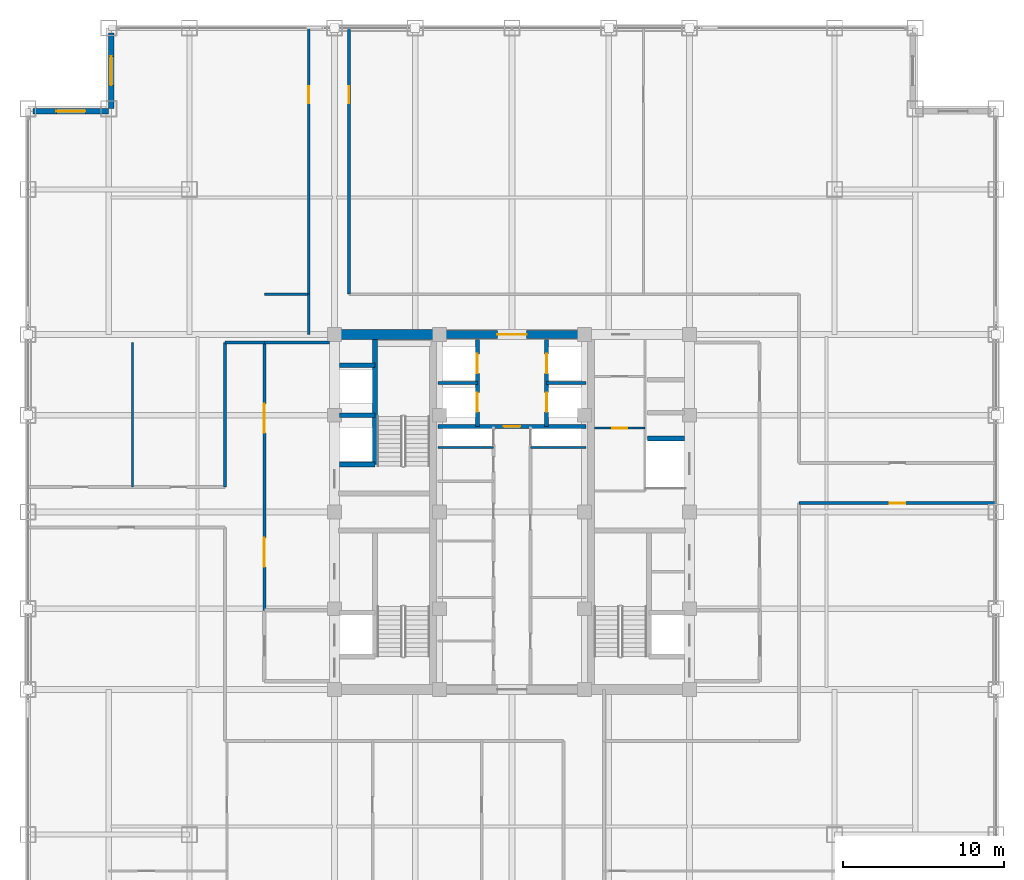
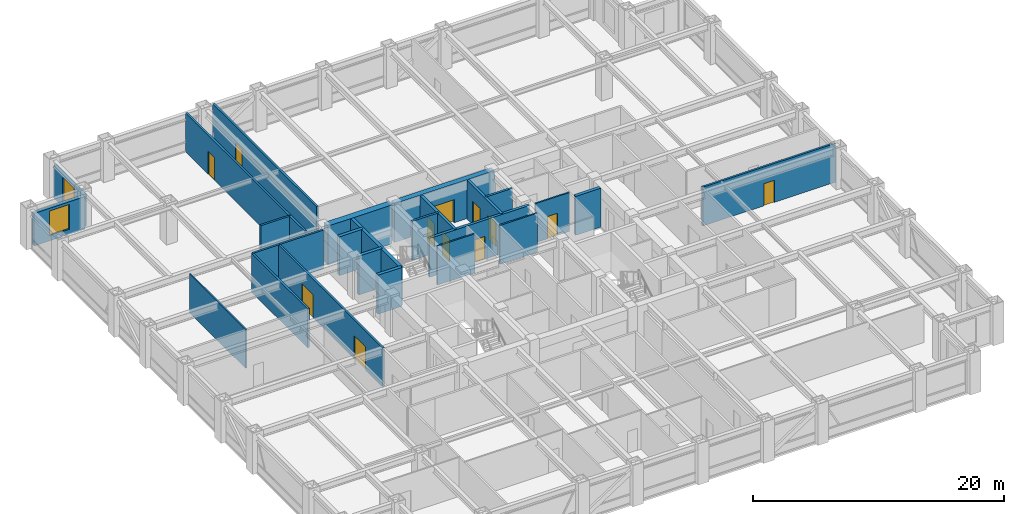
# One storey, part 22 of 24: 27 walls, 12 doors, 2 windows, 14 openings.
"""IFC4 building model written with IfcOpenShell, lengths in metres."""

import ifcopenshell
import ifcopenshell.guid

model = None  # the IFC model being written
_history = None  # IfcOwnerHistory: only IFC2X3 demands one
_inside = {}  # id of a spatial element -> (the spatial element, [elements in it])
_under = {}  # id of a project, library or spatial element -> (it, [spatial elements below it])
_declared = {}  # id of a project -> (the project, [libraries it declares])
_typed = {}  # id of a type object -> (the type object, [elements of that type])
_made_of = {}  # id of a material, layer set ... -> (it, [elements and type objects made of it])


def new_model(schema):
    """Start an empty IFC model of exactly this schema.

    Asked for "IFC4X3", IfcOpenShell would pick the latest addendum, in which some entities
    have other attributes; the version numbers below select the first issue.
    IFC2X3 requires an IfcOwnerHistory on every rooted entity: one is made here for all.
    """
    global model, _history
    if schema == "IFC4X3":
        model = ifcopenshell.file(schema_version=(4, 3, 0, 0))
    else:
        model = ifcopenshell.file(schema=schema)
    _inside.clear()
    _under.clear()
    _declared.clear()
    _typed.clear()
    _made_of.clear()
    _history = None
    if model.schema == "IFC2X3":
        org = make("IfcOrganization", Name="unknown")
        user = make(
            "IfcPersonAndOrganization",
            ThePerson=make("IfcPerson", FamilyName="unknown"),
            TheOrganization=org,
        )
        app = make(
            "IfcApplication",
            ApplicationDeveloper=org,
            Version="unknown",
            ApplicationFullName="unknown",
            ApplicationIdentifier="unknown",
        )
        _history = make(
            "IfcOwnerHistory",
            OwningUser=user,
            OwningApplication=app,
            ChangeAction="ADDED",
            CreationDate=0,
        )
    return model


def make(cls, **values):
    """One entity of the class cls with the attributes given. An attribute that is None is left unset."""
    return model.create_entity(
        cls, **{name: value for name, value in values.items() if value is not None}
    )


def rooted(cls, **values):
    """An entity with a GlobalId (a new one), such as an element, a storey or a relation."""
    return make(cls, GlobalId=ifcopenshell.guid.new(), OwnerHistory=_history, **values)


def si_unit(unit_type, name, prefix=None):
    """IfcSIUnit, for example si_unit("LENGTHUNIT", "METRE", prefix="MILLI")."""
    return make("IfcSIUnit", UnitType=unit_type, Prefix=prefix, Name=name)


def assignment(units):
    """IfcUnitAssignment: the units of a project."""
    return None if units is None else make("IfcUnitAssignment", Units=units)


def point(xyz):
    """IfcCartesianPoint."""
    return None if xyz is None else make("IfcCartesianPoint", Coordinates=xyz)


def direction(xyz):
    """IfcDirection."""
    return None if xyz is None else make("IfcDirection", DirectionRatios=xyz)


def frame(location, z_axis=None, x_axis=None):
    """IfcAxis2Placement3D, a coordinate frame: its origin and axes. An axis left out is left unset."""
    return make(
        "IfcAxis2Placement3D",
        Location=point(location),
        Axis=direction(z_axis),
        RefDirection=direction(x_axis),
    )


def frame_2d(location, x_axis=None):
    """IfcAxis2Placement2D, a coordinate frame in the plane: its origin and x axis."""
    return make(
        "IfcAxis2Placement2D", Location=point(location), RefDirection=direction(x_axis)
    )


def origin():
    """The frame at (0, 0, 0) with its axes left unset."""
    return frame((0.0, 0.0, 0.0))


def place(relative_to, where):
    """IfcLocalPlacement: puts the frame where relative to a parent placement (None: the world)."""
    return make(
        "IfcLocalPlacement", PlacementRelTo=relative_to, RelativePlacement=where
    )


def context(
    kind, dimensions, precision=None, world=None, true_north=None, identifier=None
):
    """IfcGeometricRepresentationContext, for example the 3D "Model" context."""
    return make(
        "IfcGeometricRepresentationContext",
        ContextIdentifier=identifier,
        ContextType=kind,
        CoordinateSpaceDimension=dimensions,
        Precision=precision,
        WorldCoordinateSystem=world,
        TrueNorth=true_north,
    )


def subcontext(parent, identifier, kind, view, scale=None):
    """IfcGeometricRepresentationSubContext, for example "Body" below "Model"."""
    return make(
        "IfcGeometricRepresentationSubContext",
        ContextIdentifier=identifier,
        ContextType=kind,
        ParentContext=parent,
        TargetScale=scale,
        TargetView=view,
    )


def project(units=None, contexts=None):
    """IfcProject with its units and contexts."""
    return rooted(
        "IfcProject",
        Name="project",
        RepresentationContexts=contexts,
        UnitsInContext=assignment(units),
    )


def spatial(cls, under=None, at=None, **own):
    """A site, building, storey or space (cls), placed at a placement, below another one or the project."""
    s = rooted(cls, ObjectPlacement=at, **own)
    if under is not None:
        _under.setdefault(under.id(), (under, []))[1].append(s)
    return s


def profile(cls, at=None, kind="AREA", **sizes):
    """A parametric profile (cls). Its sizes go by their IFC names, for example OverallWidth=200.0."""
    return make(cls, ProfileType=kind, Position=at, **sizes)


def rectangle(**sizes):
    """IfcRectangleProfileDef."""
    return profile("IfcRectangleProfileDef", **sizes)


def extrude(swept, where, along, depth):
    """IfcExtrudedAreaSolid: the profile swept, set in the frame where, extruded along a direction by depth."""
    return make(
        "IfcExtrudedAreaSolid",
        SweptArea=swept,
        Position=where,
        ExtrudedDirection=direction(along),
        Depth=depth,
    )


def shape(context_of_items, identifier, shape_type, items):
    """IfcShapeRepresentation: the items that make up one representation, for example the "Body"."""
    return make(
        "IfcShapeRepresentation",
        ContextOfItems=context_of_items,
        RepresentationIdentifier=identifier,
        RepresentationType=shape_type,
        Items=items,
    )


def source(mapping_origin, context_of_items, identifier, shape_type, items):
    """IfcRepresentationMap: a shape defined once, which mapped items show again and again."""
    return make(
        "IfcRepresentationMap",
        MappingOrigin=mapping_origin,
        MappedRepresentation=shape(context_of_items, identifier, shape_type, items),
    )


def transform(
    local_origin,
    x_axis=None,
    y_axis=None,
    z_axis=None,
    scale=None,
    scale2=None,
    scale3=None,
    uniform=True,
):
    """IfcCartesianTransformationOperator3D, or its non-uniform kind. x_axis, y_axis, z_axis: its Axis1, 2, 3."""
    if uniform:
        return make(
            "IfcCartesianTransformationOperator3D",
            Axis1=direction(x_axis),
            Axis2=direction(y_axis),
            LocalOrigin=point(local_origin),
            Scale=scale,
            Axis3=direction(z_axis),
        )
    return make(
        "IfcCartesianTransformationOperator3DnonUniform",
        Axis1=direction(x_axis),
        Axis2=direction(y_axis),
        LocalOrigin=point(local_origin),
        Scale=scale,
        Axis3=direction(z_axis),
        Scale2=scale2,
        Scale3=scale3,
    )


def mapped(mapping_source, mapping_target):
    """IfcMappedItem: shows the shape of a source again, moved by a transform."""
    return make(
        "IfcMappedItem", MappingSource=mapping_source, MappingTarget=mapping_target
    )


def material(Name=None, Category=None):
    """IfcMaterial."""
    return make("IfcMaterial", Name=Name, Category=Category)


def layer(
    of_material, thickness, ventilated=None, Name=None, Category=None, Priority=None
):
    """IfcMaterialLayer: one layer of a wall or slab, of a material (None: an air gap)."""
    return make(
        "IfcMaterialLayer",
        Material=of_material,
        LayerThickness=thickness,
        IsVentilated=ventilated,
        Name=Name,
        Category=Category,
        Priority=Priority,
    )


def layer_set(layers, Name=None):
    """IfcMaterialLayerSet."""
    return make("IfcMaterialLayerSet", MaterialLayers=layers, LayerSetName=Name)


def made_of(thing, what):
    """Note that an element or type object is made of a material, layer set ...; save() writes the relation."""
    if what is not None:
        _made_of.setdefault(what.id(), (what, []))[1].append(thing)
    return thing


def type_object(cls, material=None, **own):
    """A type object (cls), such as IfcWallType, which elements share."""
    return made_of(rooted(cls, **own), material)


def element(
    cls,
    number,
    at=None,
    inside=None,
    cuts=None,
    type_object=None,
    material=None,
    context=None,
    identifier="Body",
    shape_type=None,
    held_by="IfcProductDefinitionShape",
    body=None,
    shapes=None,
    **own,
):
    """One element of the class cls, such as IfcWall. Its Tag is "e" and its number.

    at: its placement. inside: the storey or other place that contains it. cuts: it is an
    opening in that element (IfcRelVoidsElement). A single representation is given by context,
    identifier, shape_type and body (its items); several are given by shapes. held_by: the class
    of the entity that holds the representations. save() writes the other relations.
    """
    e = rooted(cls, Tag="e%d" % number, ObjectPlacement=at, **own)
    if body is not None:
        shapes = [shape(context, identifier, shape_type, body)]
    if shapes is not None:
        e.Representation = make(held_by, Representations=shapes)
    if inside is not None:
        _inside.setdefault(inside.id(), (inside, []))[1].append(e)
    if cuts is not None:
        rooted(
            "IfcRelVoidsElement", RelatingBuildingElement=cuts, RelatedOpeningElement=e
        )
    if type_object is not None:
        _typed.setdefault(type_object.id(), (type_object, []))[1].append(e)
    return made_of(e, material)


def fill(opening, filler):
    """IfcRelFillsElement: the door or window that sits in an opening."""
    return rooted(
        "IfcRelFillsElement",
        RelatingOpeningElement=opening,
        RelatedBuildingElement=filler,
    )


def aggregate(whole, parts):
    """IfcRelAggregates: a whole, such as a stair, and the parts it consists of."""
    return rooted("IfcRelAggregates", RelatingObject=whole, RelatedObjects=parts)


def save(model, path):
    """Write the relations noted so far, then the file.

    IfcRelAggregates (storeys below a building ...), IfcRelContainedInSpatialStructure (elements
    in a storey), IfcRelDefinesByType, IfcRelAssociatesMaterial and IfcRelDeclares: one each for
    every whole, place, type object, material and project.
    """
    for whole, parts in _under.values():
        aggregate(whole, parts)
    for where, things in _inside.values():
        rooted(
            "IfcRelContainedInSpatialStructure",
            RelatedElements=things,
            RelatingStructure=where,
        )
    for kind, things in _typed.values():
        rooted("IfcRelDefinesByType", RelatedObjects=things, RelatingType=kind)
    for what, things in _made_of.values():
        rooted("IfcRelAssociatesMaterial", RelatedObjects=things, RelatingMaterial=what)
    for by, libraries in _declared.values():
        rooted("IfcRelDeclares", RelatingContext=by, RelatedDefinitions=libraries)
    model.write(path)


model = new_model("IFC4")

# Units and contexts
model_context = context("Model", 3, precision=1e-05, world=origin(), true_north=direction((0.0, 1.0)))
body_context = subcontext(model_context, "Body", "Model", "MODEL_VIEW")
ifc_project = project(units=[si_unit("LENGTHUNIT", "METRE"), si_unit("AREAUNIT", "SQUARE_METRE"), si_unit("VOLUMEUNIT", "CUBIC_METRE"), si_unit("PLANEANGLEUNIT", "RADIAN"), si_unit("MASSUNIT", "GRAM", prefix="KILO")], contexts=[model_context])

# Site, building, storey
site_placement = place(None, origin())
site = spatial("IfcSite", under=ifc_project, at=site_placement, CompositionType="ELEMENT")
building_placement = place(site_placement, origin())
building = spatial("IfcBuilding", under=site, at=building_placement, Name="Khorayat Bourse Tower", CompositionType="ELEMENT")
storey_placement = place(building_placement, frame((0.0, 0.0, 219.10009765625)))
storey = spatial("IfcBuildingStorey", under=building, at=storey_placement, Name="L51", CompositionType="ELEMENT", Elevation=219.10009765625)

# Wall, opening, door
ifc_material_1 = material(Name="Concrete C52/65", Category="concrete")
ifc_layer_1 = layer(ifc_material_1, 0.5)
ifc_layer_set_1 = layer_set([ifc_layer_1], Name="Concrete C52/65")
wall_type_1 = type_object("IfcWallType", Name="WAL-CORE-500", PredefinedType="SHEAR", material=ifc_layer_set_1)
shared_shape_1 = source(origin(), body_context, "Body", "SweptSolid", [
    extrude(rectangle(XDim=9.2001953125, YDim=0.5, at=frame_2d((4.60009765625, 0.0))), origin(), (0.0, 0.0, 1.0), 3.77978515625),
])
wall_1_placement = place(storey_placement, frame((-4.60009765625, 11.0, 0.0), z_axis=(0.0, 0.0, 1.0), x_axis=(1.0, 0.0, 0.0)))
wall_1 = element("IfcWall", 1, at=wall_1_placement, inside=storey, type_object=wall_type_1, Name="L51 Core Shear Wall CORE-N", PredefinedType="SHEAR", context=body_context, shape_type="MappedRepresentation", body=[
    mapped(shared_shape_1, transform((0.0, 0.0, 0.0), scale=1.0)),
])
shared_shape_2 = source(origin(), body_context, "Body", "SweptSolid", [
    extrude(rectangle(XDim=1.800048828125, YDim=2.25, at=frame_2d((0.89990234375, 1.125))), frame((0.0, 0.260009765625, 0.0), z_axis=(0.0, -1.0, 0.0), x_axis=(1.0, 0.0, 0.0)), (0.0, 0.0, 1.0), 0.52001953125),
])
opening_1_placement = place(wall_1_placement, frame((3.699951171875, 0.0, 0.0)))
opening_1 = element("IfcOpeningElement", 2, at=opening_1_placement, cuts=wall_1, Name="Opening DI-03", PredefinedType="OPENING", context=body_context, shape_type="MappedRepresentation", body=[
    mapped(shared_shape_2, transform((0.0, 0.0, 0.0), scale=1.0)),
])
ifc_material_2 = material(Name="Fire-rated hardwood vision-panel double leaf", Category="wood")
door_type_1 = type_object("IfcDoorType", Name="DR-INT-CORR-1800", OperationType="NOTDEFINED", PredefinedType="DOOR", material=ifc_material_2)
shared_shape_3 = source(origin(), body_context, "Body", "SweptSolid", [
    extrude(rectangle(XDim=1.800048828125, YDim=2.25, at=frame_2d((0.89990234375, 1.125))), frame((0.0, 0.02490234375, 0.0), z_axis=(0.0, -1.0, 0.0), x_axis=(1.0, 0.0, 0.0)), (0.0, 0.0, 1.0), 0.050048828125),
])
door_1_placement = place(opening_1_placement, origin())
door_1 = element("IfcDoor", 3, at=door_1_placement, inside=storey, type_object=door_type_1, Name="L51 Mid-Rise Lift Lobby Door", OperationType="SINGLE_SWING_RIGHT", OverallHeight=2.25, OverallWidth=1.800048828125, PredefinedType="DOOR", context=body_context, shape_type="MappedRepresentation", body=[
    mapped(shared_shape_3, transform((0.0, 0.0, 0.0), scale=1.0)),
])
fill(opening_1, door_1)

# Wall
ifc_material_3 = material(Name="Concrete C60/75", Category="concrete")
ifc_layer_2 = layer(ifc_material_3, 0.60009765625)
ifc_layer_set_2 = layer_set([ifc_layer_2], Name="Concrete C60/75")
wall_type_2 = type_object("IfcWallType", Name="WAL-CORE-600", PredefinedType="SHEAR", material=ifc_layer_set_2)
shared_shape_4 = source(origin(), body_context, "Body", "SweptSolid", [
    extrude(rectangle(XDim=5.89990234375, YDim=0.60009765625, at=frame_2d((2.949951171875, 0.0))), origin(), (0.0, 0.0, 1.0), 3.77978515625),
])
wall_2_placement = place(storey_placement, frame((-10.75, 11.0, 0.0), z_axis=(0.0, 0.0, 1.0), x_axis=(1.0, 0.0, 0.0)))
element("IfcWall", 4, at=wall_2_placement, inside=storey, type_object=wall_type_2, Name="L51 Core Shear Wall PIER-WN", PredefinedType="SHEAR", context=body_context, shape_type="MappedRepresentation", body=[
    mapped(shared_shape_4, transform((0.0, 0.0, 0.0), scale=1.0)),
])

# Wall, opening, window
ifc_material_4 = material(Name="Precast concrete C45/55", Category="concrete")
ifc_layer_3 = layer(ifc_material_4, 0.320068359375)
ifc_layer_set_3 = layer_set([ifc_layer_3], Name="Precast concrete C45/55")
wall_type_3 = type_object("IfcWallType", Name="WAL-EXT-STONE-320", PredefinedType="STANDARD", material=ifc_layer_set_3)
shared_shape_5 = source(origin(), body_context, "Body", "SweptSolid", [
    extrude(rectangle(XDim=4.679931640625, YDim=0.320068359375, at=frame_2d((2.33984375, 0.0))), origin(), (0.0, 0.0, 1.0), 3.163818359375),
])
wall_3_placement = place(storey_placement, frame((-24.840087890625, 25.0, 0.0), z_axis=(0.0, 0.0, 1.0), x_axis=(0.0, 1.0, 0.0)))
wall_3 = element("IfcWall", 5, at=wall_3_placement, inside=storey, type_object=wall_type_3, Name="L51 Re-Entrant Notch Limestone Wall NW-V", PredefinedType="STANDARD", context=body_context, shape_type="MappedRepresentation", body=[
    mapped(shared_shape_5, transform((0.0, 0.0, 0.0), scale=1.0)),
])
shared_shape_6 = source(origin(), body_context, "Body", "SweptSolid", [
    extrude(rectangle(XDim=1.800048828125, YDim=2.39990234375, at=frame_2d((0.89990234375, 1.199951171875))), frame((0.0, 0.169921875, 0.0), z_axis=(0.0, -1.0, 0.0), x_axis=(1.0, 0.0, 0.0)), (0.0, 0.0, 1.0), 0.340087890625),
])
opening_2_placement = place(wall_3_placement, frame((1.43994140625, 0.0, 0.5)))
opening_2 = element("IfcOpeningElement", 6, at=opening_2_placement, cuts=wall_3, Name="Opening WN-04", PredefinedType="OPENING", context=body_context, shape_type="MappedRepresentation", body=[
    mapped(shared_shape_6, transform((0.0, 0.0, 0.0), scale=1.0)),
])
ifc_material_5 = material(Name="Low-E acoustic laminated double glazing", Category="glass")
window_type = type_object("IfcWindowType", Name="WIN-NOTCH-1800x2400", PartitioningType="SINGLE_PANEL", PredefinedType="WINDOW", material=ifc_material_5)
shared_shape_7 = source(origin(), body_context, "Body", "SweptSolid", [
    extrude(rectangle(XDim=1.800048828125, YDim=2.39990234375, at=frame_2d((0.89990234375, 1.199951171875))), frame((0.0, 0.030029296875, 0.0), z_axis=(0.0, -1.0, 0.0), x_axis=(1.0, 0.0, 0.0)), (0.0, 0.0, 1.0), 0.06005859375),
])
window_1_placement = place(opening_2_placement, origin())
window_1 = element("IfcWindow", 7, at=window_1_placement, inside=storey, type_object=window_type, Name="L51 Facade Window 1", OverallHeight=2.39990234375, OverallWidth=1.800048828125, PartitioningType="SINGLE_PANEL", PredefinedType="WINDOW", context=body_context, shape_type="MappedRepresentation", body=[
    mapped(shared_shape_7, transform((0.0, 0.0, 0.0), scale=1.0)),
])
fill(opening_2, window_1)

wall_4_placement = place(storey_placement, frame((-25.0, 24.840087890625, 0.0), z_axis=(0.0, 0.0, 1.0), x_axis=(-1.0, 0.0, 0.0)))
wall_4 = element("IfcWall", 8, at=wall_4_placement, inside=storey, type_object=wall_type_3, Name="L51 Re-Entrant Notch Limestone Wall NW-H", PredefinedType="STANDARD", context=body_context, shape_type="MappedRepresentation", body=[
    mapped(shared_shape_5, transform((0.0, 0.0, 0.0), scale=1.0)),
])
opening_3_placement = place(wall_4_placement, frame((1.43994140625, 0.0, 0.5)))
opening_3 = element("IfcOpeningElement", 9, at=opening_3_placement, cuts=wall_4, Name="Opening WN-04", PredefinedType="OPENING", context=body_context, shape_type="MappedRepresentation", body=[
    mapped(shared_shape_6, transform((0.0, 0.0, 0.0), scale=1.0)),
])
window_2_placement = place(opening_3_placement, origin())
window_2 = element("IfcWindow", 10, at=window_2_placement, inside=storey, type_object=window_type, Name="L51 Facade Window 1", OverallHeight=2.39990234375, OverallWidth=1.800048828125, PartitioningType="SINGLE_PANEL", PredefinedType="WINDOW", context=body_context, shape_type="MappedRepresentation", body=[
    mapped(shared_shape_7, transform((0.0, 0.0, 0.0), scale=1.0)),
])
fill(opening_3, window_2)

# Walls
ifc_material_6 = material(Name="Concrete C50/60", Category="concrete")
ifc_layer_4 = layer(ifc_material_6, 0.300048828125)
ifc_layer_set_4 = layer_set([ifc_layer_4], Name="Concrete C50/60")
wall_type_4 = type_object("IfcWallType", Name="WAL-SHAFT-300", PredefinedType="SHEAR", material=ifc_layer_set_4)
shared_shape_8 = source(origin(), body_context, "Body", "SweptSolid", [
    extrude(rectangle(XDim=2.199951171875, YDim=0.300048828125, at=frame_2d((1.10009765625, 0.0))), origin(), (0.0, 0.0, 1.0), 3.77978515625),
])
for number, where, z_axis, x_axis, name in (
    (11, (-10.699951171875, 2.949951171875, 0.0), (0.0, 0.0, 1.0), (1.0, 0.0, 0.0), "L51 Partition WAL-L51-WPIER-H1S"),
    (12, (-10.699951171875, 6.0, 0.0), (0.0, 0.0, 1.0), (1.0, 0.0, 0.0), "L51 Partition WAL-L51-WPIER-H12"),
    (13, (-10.699951171875, 9.10009765625, 0.0), (0.0, 0.0, 1.0), (1.0, 0.0, 0.0), "L51 Partition WAL-L51-WPIER-H2N"),
):
    element("IfcWall", number, at=place(storey_placement, frame(where, z_axis=z_axis, x_axis=x_axis)), inside=storey, type_object=wall_type_4, Name=name, PredefinedType="SHEAR", context=body_context, shape_type="MappedRepresentation", body=[
        mapped(shared_shape_8, transform((0.0, 0.0, 0.0), scale=1.0)),
    ])
shared_shape_9 = source(origin(), body_context, "Body", "SweptSolid", [
    extrude(rectangle(XDim=7.75, YDim=0.300048828125, at=frame_2d((3.875, 0.0))), origin(), (0.0, 0.0, 1.0), 3.77978515625),
])
wall_5_placement = place(storey_placement, frame((-8.5, 2.949951171875, 0.0), z_axis=(0.0, 0.0, 1.0), x_axis=(0.0, 1.0, 0.0)))
element("IfcWall", 14, at=wall_5_placement, inside=storey, type_object=wall_type_4, Name="L51 Partition WAL-L51-WPIER-ST2S", PredefinedType="SHEAR", context=body_context, shape_type="MappedRepresentation", body=[
    mapped(shared_shape_9, transform((0.0, 0.0, 0.0), scale=1.0)),
])
shared_shape_10 = source(origin(), body_context, "Body", "SweptSolid", [
    extrude(rectangle(XDim=2.300048828125, YDim=0.300048828125, at=frame_2d((1.14990234375, 0.0))), origin(), (0.0, 0.0, 1.0), 3.77978515625),
])
wall_6_placement = place(storey_placement, frame((8.39990234375, 4.550048828125, 0.0), z_axis=(0.0, 0.0, 1.0), x_axis=(1.0, 0.0, 0.0)))
element("IfcWall", 15, at=wall_6_placement, inside=storey, type_object=wall_type_4, Name="L51 Partition WAL-L51-EPIER-SVLN", PredefinedType="SHEAR", context=body_context, shape_type="MappedRepresentation", body=[
    mapped(shared_shape_10, transform((0.0, 0.0, 0.0), scale=1.0)),
])

# Wall, opening, door
ifc_material_7 = material(Name="Moisture-resistant masonry partition", Category="masonry")
ifc_layer_5 = layer(ifc_material_7, 0.139892578125)
ifc_layer_set_5 = layer_set([ifc_layer_5], Name="Moisture-resistant masonry partition")
wall_type_5 = type_object("IfcWallType", Name="WAL-PART-WET-140", PredefinedType="PARTITIONING", material=ifc_layer_set_5)
shared_shape_11 = source(origin(), body_context, "Body", "SweptSolid", [
    extrude(rectangle(XDim=3.14990234375, YDim=0.139892578125, at=frame_2d((1.574951171875, 0.0))), origin(), (0.0, 0.0, 1.0), 3.77978515625),
])
wall_7_placement = place(storey_placement, frame((5.10009765625, 5.199951171875, 0.0), z_axis=(0.0, 0.0, 1.0), x_axis=(1.0, 0.0, 0.0)))
wall_7 = element("IfcWall", 16, at=wall_7_placement, inside=storey, type_object=wall_type_5, Name="L51 Partition WAL-L51-ECW-HZ", PredefinedType="PARTITIONING", context=body_context, shape_type="MappedRepresentation", body=[
    mapped(shared_shape_11, transform((0.0, 0.0, 0.0), scale=1.0)),
])
shared_shape_12 = source(origin(), body_context, "Body", "SweptSolid", [
    extrude(rectangle(XDim=0.89990234375, YDim=2.14990234375, at=frame_2d((0.449951171875, 1.074951171875))), frame((0.0, 0.079833984375, 0.0), z_axis=(0.0, -1.0, 0.0), x_axis=(1.0, 0.0, 0.0)), (0.0, 0.0, 1.0), 0.159912109375),
])
opening_4_placement = place(wall_7_placement, frame((1.1298828125, 0.0, 0.0)))
opening_4 = element("IfcOpeningElement", 17, at=opening_4_placement, cuts=wall_7, Name="Opening DI-06", PredefinedType="OPENING", context=body_context, shape_type="MappedRepresentation", body=[
    mapped(shared_shape_12, transform((0.0, 0.0, 0.0), scale=1.0)),
])
ifc_material_8 = material(Name="Moisture-resistant laminate washroom door")
door_type_2 = type_object("IfcDoorType", Name="DR-INT-WC-900", OperationType="NOTDEFINED", PredefinedType="DOOR", material=ifc_material_8)
shared_shape_13 = source(origin(), body_context, "Body", "SweptSolid", [
    extrude(rectangle(XDim=0.89990234375, YDim=2.14990234375, at=frame_2d((0.449951171875, 1.074951171875))), frame((0.0, 0.02490234375, 0.0), z_axis=(0.0, -1.0, 0.0), x_axis=(1.0, 0.0, 0.0)), (0.0, 0.0, 1.0), 0.050048828125),
])
door_2_placement = place(opening_4_placement, origin())
door_2 = element("IfcDoor", 18, at=door_2_placement, inside=storey, type_object=door_type_2, Name="L51 Shared Washroom Door", OperationType="SINGLE_SWING_RIGHT", OverallHeight=2.14990234375, OverallWidth=0.89990234375, PredefinedType="DOOR", context=body_context, shape_type="MappedRepresentation", body=[
    mapped(shared_shape_13, transform((0.0, 0.0, 0.0), scale=1.0)),
])
fill(opening_4, door_2)

# Wall
ifc_material_9 = material(Name="Gypsum plasterboard acoustic stud wall")
ifc_layer_6 = layer(ifc_material_9, 0.179931640625)
ifc_layer_set_6 = layer_set([ifc_layer_6], Name="Gypsum plasterboard acoustic stud wall")
wall_type_6 = type_object("IfcWallType", Name="WAL-PART-CORR-180", PredefinedType="PARTITIONING", material=ifc_layer_set_6)
shared_shape_14 = source(origin(), body_context, "Body", "SweptSolid", [
    extrude(rectangle(XDim=4.050048828125, YDim=0.179931640625, at=frame_2d((2.02490234375, 0.0))), origin(), (0.0, 0.0, 1.0), 3.77978515625),
])
wall_8_placement = place(storey_placement, frame((-15.35009765625, 10.5, 0.0), z_axis=(0.0, 0.0, 1.0), x_axis=(1.0, 0.0, 0.0)))
element("IfcWall", 19, at=wall_8_placement, inside=storey, type_object=wall_type_6, Name="L51 Partition WAL-L51-WLOB-N", PredefinedType="PARTITIONING", context=body_context, shape_type="MappedRepresentation", body=[
    mapped(shared_shape_14, transform((0.0, 0.0, 0.0), scale=1.0)),
])

# Wall, openings, doors
shared_shape_15 = source(origin(), body_context, "Body", "SweptSolid", [
    extrude(rectangle(XDim=16.60009765625, YDim=0.179931640625, at=frame_2d((8.300048828125, 0.0))), origin(), (0.0, 0.0, 1.0), 3.77978515625),
])
wall_9_placement = place(storey_placement, frame((-15.35009765625, -6.10009765625, 0.0), z_axis=(0.0, 0.0, 1.0), x_axis=(0.0, 1.0, 0.0)))
wall_9 = element("IfcWall", 20, at=wall_9_placement, inside=storey, type_object=wall_type_6, Name="L51 Partition WAL-L51-WLOB-W", PredefinedType="PARTITIONING", context=body_context, shape_type="MappedRepresentation", body=[
    mapped(shared_shape_15, transform((0.0, 0.0, 0.0), scale=1.0)),
])
shared_shape_16 = source(origin(), body_context, "Body", "SweptSolid", [
    extrude(rectangle(XDim=1.800048828125, YDim=2.25, at=frame_2d((0.89990234375, 1.125))), frame((0.0, 0.099853515625, 0.0), z_axis=(0.0, -1.0, 0.0), x_axis=(1.0, 0.0, 0.0)), (0.0, 0.0, 1.0), 0.199951171875),
])
opening_5_placement = place(wall_9_placement, frame((2.699951171875, 0.0, 0.0)))
opening_5 = element("IfcOpeningElement", 21, at=opening_5_placement, cuts=wall_9, Name="Opening DI-03", PredefinedType="OPENING", context=body_context, shape_type="MappedRepresentation", body=[
    mapped(shared_shape_16, transform((0.0, 0.0, 0.0), scale=1.0)),
])
opening_6_placement = place(wall_9_placement, frame((11.0, 0.0, 0.0)))
opening_6 = element("IfcOpeningElement", 22, at=opening_6_placement, cuts=wall_9, Name="Opening DI-03", PredefinedType="OPENING", context=body_context, shape_type="MappedRepresentation", body=[
    mapped(shared_shape_16, transform((0.0, 0.0, 0.0), scale=1.0)),
])
door_3_placement = place(opening_5_placement, origin())
door_3 = element("IfcDoor", 23, at=door_3_placement, inside=storey, type_object=door_type_1, Name="L51 West Core Lobby South Door", OperationType="SINGLE_SWING_LEFT", OverallHeight=2.25, OverallWidth=1.800048828125, PredefinedType="DOOR", context=body_context, shape_type="MappedRepresentation", body=[
    mapped(shared_shape_3, transform((0.0, 0.0, 0.0), scale=1.0)),
])
fill(opening_5, door_3)
door_4_placement = place(opening_6_placement, origin())
door_4 = element("IfcDoor", 24, at=door_4_placement, inside=storey, type_object=door_type_1, Name="L51 West Core Lobby North Door", OperationType="SINGLE_SWING_RIGHT", OverallHeight=2.25, OverallWidth=1.800048828125, PredefinedType="DOOR", context=body_context, shape_type="MappedRepresentation", body=[
    mapped(shared_shape_3, transform((0.0, 0.0, 0.0), scale=1.0)),
])
fill(opening_6, door_4)

# Walls
ifc_material_10 = material(Name="Gypsum plasterboard twin-frame partition")
ifc_layer_7 = layer(ifc_material_10, 0.14990234375)
ifc_layer_set_7 = layer_set([ifc_layer_7], Name="Gypsum plasterboard twin-frame partition")
wall_type_7 = type_object("IfcWallType", Name="WAL-PART-SUITE-150", PredefinedType="PARTITIONING", material=ifc_layer_set_7)
shared_shape_17 = source(origin(), body_context, "Body", "SweptSolid", [
    extrude(rectangle(XDim=3.4501953125, YDim=0.14990234375, at=frame_2d((1.72509765625, 0.0))), origin(), (0.0, 0.0, 1.0), 3.77978515625),
])
for number, where, z_axis, x_axis, name in (
    (25, (-4.60009765625, 4.0, 0.0), (0.0, 0.0, 1.0), (1.0, 0.0, 0.0), "L51 Partition WAL-L51-CRSW-S"),
    (26, (1.14990234375, 4.0, 0.0), (0.0, 0.0, 1.0), (1.0, 0.0, 0.0), "L51 Partition WAL-L51-CRSE-S"),
):
    element("IfcWall", number, at=place(storey_placement, frame(where, z_axis=z_axis, x_axis=x_axis)), inside=storey, type_object=wall_type_7, Name=name, PredefinedType="PARTITIONING", context=body_context, shape_type="MappedRepresentation", body=[
        mapped(shared_shape_17, transform((0.0, 0.0, 0.0), scale=1.0)),
    ])

# Wall, openings, doors
shared_shape_18 = source(origin(), body_context, "Body", "SweptSolid", [
    extrude(rectangle(XDim=5.39990234375, YDim=0.25, at=frame_2d((2.699951171875, 0.0))), origin(), (0.0, 0.0, 1.0), 3.77978515625),
])
wall_10_placement = place(storey_placement, frame((-2.14990234375, 5.300048828125, 0.0), z_axis=(0.0, 0.0, 1.0), x_axis=(0.0, 1.0, 0.0)))
wall_10 = element("IfcWall", 27, at=wall_10_placement, inside=storey, type_object=wall_type_4, Name="L51 Partition WAL-L51-B2-W", PredefinedType="SHEAR", context=body_context, shape_type="MappedRepresentation", body=[
    mapped(shared_shape_18, transform((0.0, 0.0, 0.0), scale=1.0)),
])
shared_shape_19 = source(origin(), body_context, "Body", "SweptSolid", [
    extrude(rectangle(XDim=1.199951171875, YDim=2.300048828125, at=frame_2d((0.60009765625, 1.14990234375))), frame((0.0, 0.135009765625, 0.0), z_axis=(0.0, -1.0, 0.0), x_axis=(1.0, 0.0, 0.0)), (0.0, 0.0, 1.0), 0.27001953125),
])
opening_7_placement = place(wall_10_placement, frame((3.300048828125, 0.0, 0.0)))
opening_7 = element("IfcOpeningElement", 28, at=opening_7_placement, cuts=wall_10, Name="Opening LD-01", PredefinedType="OPENING", context=body_context, shape_type="MappedRepresentation", body=[
    mapped(shared_shape_19, transform((0.0, 0.0, 0.0), scale=1.0)),
])
opening_8_placement = place(wall_10_placement, frame((0.89990234375, 0.0, 0.0)))
opening_8 = element("IfcOpeningElement", 29, at=opening_8_placement, cuts=wall_10, Name="Opening LD-01", PredefinedType="OPENING", context=body_context, shape_type="MappedRepresentation", body=[
    mapped(shared_shape_19, transform((0.0, 0.0, 0.0), scale=1.0)),
])
ifc_material_11 = material(Name="Brushed bronze stainless-steel sliding door", Category="steel")
door_type_3 = type_object("IfcDoorType", Name="DR-LIFT-PASS-1200", OperationType="NOTDEFINED", PredefinedType="DOOR", material=ifc_material_11)
shared_shape_20 = source(origin(), body_context, "Body", "SweptSolid", [
    extrude(rectangle(XDim=1.199951171875, YDim=2.300048828125, at=frame_2d((0.60009765625, 1.14990234375))), frame((0.0, 0.02490234375, 0.0), z_axis=(0.0, -1.0, 0.0), x_axis=(1.0, 0.0, 0.0)), (0.0, 0.0, 1.0), 0.050048828125),
])
door_5_placement = place(opening_7_placement, origin())
door_5 = element("IfcDoor", 30, at=door_5_placement, inside=storey, type_object=door_type_3, Name="L51 Lift PL-M1 Sliding Landing Door", OperationType="SLIDING_TO_LEFT", OverallHeight=2.300048828125, OverallWidth=1.199951171875, PredefinedType="DOOR", context=body_context, shape_type="MappedRepresentation", body=[
    mapped(shared_shape_20, transform((0.0, 0.0, 0.0), scale=1.0)),
])
fill(opening_7, door_5)
door_6_placement = place(opening_8_placement, origin())
door_6 = element("IfcDoor", 31, at=door_6_placement, inside=storey, type_object=door_type_3, Name="L51 Lift PL-M3 Sliding Landing Door", OperationType="SLIDING_TO_LEFT", OverallHeight=2.300048828125, OverallWidth=1.199951171875, PredefinedType="DOOR", context=body_context, shape_type="MappedRepresentation", body=[
    mapped(shared_shape_20, transform((0.0, 0.0, 0.0), scale=1.0)),
])
fill(opening_8, door_6)

wall_11_placement = place(storey_placement, frame((2.14990234375, 5.300048828125, 0.0), z_axis=(0.0, 0.0, 1.0), x_axis=(0.0, 1.0, 0.0)))
wall_11 = element("IfcWall", 32, at=wall_11_placement, inside=storey, type_object=wall_type_4, Name="L51 Partition WAL-L51-B2-E", PredefinedType="SHEAR", context=body_context, shape_type="MappedRepresentation", body=[
    mapped(shared_shape_18, transform((0.0, 0.0, 0.0), scale=1.0)),
])
opening_9_placement = place(wall_11_placement, frame((3.300048828125, 0.0, 0.0)))
opening_9 = element("IfcOpeningElement", 33, at=opening_9_placement, cuts=wall_11, Name="Opening LD-01", PredefinedType="OPENING", context=body_context, shape_type="MappedRepresentation", body=[
    mapped(shared_shape_19, transform((0.0, 0.0, 0.0), scale=1.0)),
])
opening_10_placement = place(wall_11_placement, frame((0.89990234375, 0.0, 0.0)))
opening_10 = element("IfcOpeningElement", 34, at=opening_10_placement, cuts=wall_11, Name="Opening LD-01", PredefinedType="OPENING", context=body_context, shape_type="MappedRepresentation", body=[
    mapped(shared_shape_19, transform((0.0, 0.0, 0.0), scale=1.0)),
])
door_7_placement = place(opening_9_placement, origin())
door_7 = element("IfcDoor", 35, at=door_7_placement, inside=storey, type_object=door_type_3, Name="L51 Lift PL-M2 Sliding Landing Door", OperationType="SLIDING_TO_LEFT", OverallHeight=2.300048828125, OverallWidth=1.199951171875, PredefinedType="DOOR", context=body_context, shape_type="MappedRepresentation", body=[
    mapped(shared_shape_20, transform((0.0, 0.0, 0.0), scale=1.0)),
])
fill(opening_9, door_7)
door_8_placement = place(opening_10_placement, origin())
door_8 = element("IfcDoor", 36, at=door_8_placement, inside=storey, type_object=door_type_3, Name="L51 Lift PL-M4 Sliding Landing Door", OperationType="SLIDING_TO_LEFT", OverallHeight=2.300048828125, OverallWidth=1.199951171875, PredefinedType="DOOR", context=body_context, shape_type="MappedRepresentation", body=[
    mapped(shared_shape_20, transform((0.0, 0.0, 0.0), scale=1.0)),
])
fill(opening_10, door_8)

# Walls
shared_shape_21 = source(origin(), body_context, "Body", "SweptSolid", [
    extrude(rectangle(XDim=2.4501953125, YDim=0.199951171875, at=frame_2d((1.22509765625, 0.0))), origin(), (0.0, 0.0, 1.0), 3.77978515625),
])
for number, where, z_axis, x_axis, name in (
    (37, (-4.60009765625, 8.0, 0.0), (0.0, 0.0, 1.0), (1.0, 0.0, 0.0), "L51 Partition WAL-L51-B2-MW"),
    (38, (2.14990234375, 8.0, 0.0), (0.0, 0.0, 1.0), (1.0, 0.0, 0.0), "L51 Partition WAL-L51-B2-ME"),
):
    element("IfcWall", number, at=place(storey_placement, frame(where, z_axis=z_axis, x_axis=x_axis)), inside=storey, type_object=wall_type_4, Name=name, PredefinedType="SHEAR", context=body_context, shape_type="MappedRepresentation", body=[
        mapped(shared_shape_21, transform((0.0, 0.0, 0.0), scale=1.0)),
    ])

# Wall, opening, door
shared_shape_22 = source(origin(), body_context, "Body", "SweptSolid", [
    extrude(rectangle(XDim=9.2001953125, YDim=0.25, at=frame_2d((4.60009765625, 0.0))), origin(), (0.0, 0.0, 1.0), 3.77978515625),
])
wall_12_placement = place(storey_placement, frame((-4.60009765625, 5.300048828125, 0.0), z_axis=(0.0, 0.0, 1.0), x_axis=(1.0, 0.0, 0.0)))
wall_12 = element("IfcWall", 39, at=wall_12_placement, inside=storey, type_object=wall_type_4, Name="L51 Partition WAL-L51-B2-S", PredefinedType="SHEAR", context=body_context, shape_type="MappedRepresentation", body=[
    mapped(shared_shape_22, transform((0.0, 0.0, 0.0), scale=1.0)),
])
shared_shape_23 = source(origin(), body_context, "Body", "SweptSolid", [
    extrude(rectangle(XDim=1.050048828125, YDim=2.199951171875, at=frame_2d((0.52490234375, 1.10009765625))), frame((0.0, 0.135009765625, 0.0), z_axis=(0.0, -1.0, 0.0), x_axis=(1.0, 0.0, 0.0)), (0.0, 0.0, 1.0), 0.27001953125),
])
opening_11_placement = place(wall_12_placement, frame((4.074951171875, 0.0, 0.0)))
opening_11 = element("IfcOpeningElement", 40, at=opening_11_placement, cuts=wall_12, Name="Opening DI-04", PredefinedType="OPENING", context=body_context, shape_type="MappedRepresentation", body=[
    mapped(shared_shape_23, transform((0.0, 0.0, 0.0), scale=1.0)),
])
ifc_material_12 = material(Name="Fire-rated oak veneer suite entrance door")
door_type_4 = type_object("IfcDoorType", Name="DR-INT-SUITE-1050", OperationType="NOTDEFINED", PredefinedType="DOOR", material=ifc_material_12)
shared_shape_24 = source(origin(), body_context, "Body", "SweptSolid", [
    extrude(rectangle(XDim=1.050048828125, YDim=2.199951171875, at=frame_2d((0.52490234375, 1.10009765625))), frame((0.0, 0.02490234375, 0.0), z_axis=(0.0, -1.0, 0.0), x_axis=(1.0, 0.0, 0.0)), (0.0, 0.0, 1.0), 0.050048828125),
])
door_9_placement = place(opening_11_placement, origin())
door_9 = element("IfcDoor", 41, at=door_9_placement, inside=storey, type_object=door_type_4, Name="L51 Core Spine North Door", OperationType="SINGLE_SWING_RIGHT", OverallHeight=2.199951171875, OverallWidth=1.050048828125, PredefinedType="DOOR", context=body_context, shape_type="MappedRepresentation", body=[
    mapped(shared_shape_24, transform((0.0, 0.0, 0.0), scale=1.0)),
])
fill(opening_11, door_9)

# Walls
shared_shape_25 = source(origin(), body_context, "Body", "SweptSolid", [
    extrude(rectangle(XDim=2.449951171875, YDim=0.179931640625, at=frame_2d((1.22509765625, 0.0))), origin(), (0.0, 0.0, 1.0), 3.77978515625),
])
wall_13_placement = place(storey_placement, frame((-17.800048828125, 10.5, 0.0), z_axis=(0.0, 0.0, 1.0), x_axis=(1.0, 0.0, 0.0)))
element("IfcWall", 42, at=wall_13_placement, inside=storey, type_object=wall_type_6, Name="L51 Partition WAL-L51-C2-WN", PredefinedType="PARTITIONING", context=body_context, shape_type="MappedRepresentation", body=[
    mapped(shared_shape_25, transform((0.0, 0.0, 0.0), scale=1.0)),
])
shared_shape_26 = source(origin(), body_context, "Body", "SweptSolid", [
    extrude(rectangle(XDim=2.5, YDim=0.179931640625, at=frame_2d((1.25, 0.0))), origin(), (0.0, 0.0, 1.0), 3.77978515625),
])
wall_14_placement = place(storey_placement, frame((-12.60009765625, 11.0, 0.0), z_axis=(0.0, 0.0, 1.0), x_axis=(0.0, 1.0, 0.0)))
element("IfcWall", 43, at=wall_14_placement, inside=storey, type_object=wall_type_6, Name="L51 Partition WAL-L51-C2-NCW", PredefinedType="PARTITIONING", context=body_context, shape_type="MappedRepresentation", body=[
    mapped(shared_shape_26, transform((0.0, 0.0, 0.0), scale=1.0)),
])

# Wall, opening, door
shared_shape_27 = source(origin(), body_context, "Body", "SweptSolid", [
    extrude(rectangle(XDim=16.5, YDim=0.179931640625, at=frame_2d((8.25, 0.0))), origin(), (0.0, 0.0, 1.0), 3.77978515625),
])
wall_15_placement = place(storey_placement, frame((-12.60009765625, 13.5, 0.0), z_axis=(0.0, 0.0, 1.0), x_axis=(0.0, 1.0, 0.0)))
wall_15 = element("IfcWall", 44, at=wall_15_placement, inside=storey, type_object=wall_type_6, Name="L51 Partition WAL-L51-QNW-SPK", PredefinedType="PARTITIONING", context=body_context, shape_type="MappedRepresentation", body=[
    mapped(shared_shape_27, transform((0.0, 0.0, 0.0), scale=1.0)),
])
shared_shape_28 = source(origin(), body_context, "Body", "SweptSolid", [
    extrude(rectangle(XDim=1.050048828125, YDim=2.199951171875, at=frame_2d((0.52490234375, 1.10009765625))), frame((0.0, 0.099853515625, 0.0), z_axis=(0.0, -1.0, 0.0), x_axis=(1.0, 0.0, 0.0)), (0.0, 0.0, 1.0), 0.199951171875),
])
opening_12_placement = place(wall_15_placement, frame((11.85009765625, 0.0, 0.0)))
opening_12 = element("IfcOpeningElement", 45, at=opening_12_placement, cuts=wall_15, Name="Opening DI-04", PredefinedType="OPENING", context=body_context, shape_type="MappedRepresentation", body=[
    mapped(shared_shape_28, transform((0.0, 0.0, 0.0), scale=1.0)),
])
door_10_placement = place(opening_12_placement, origin())
door_10 = element("IfcDoor", 46, at=door_10_placement, inside=storey, type_object=door_type_4, Name="L51 North-West Radial Spoke Entry", OperationType="SINGLE_SWING_LEFT", OverallHeight=2.199951171875, OverallWidth=1.050048828125, PredefinedType="DOOR", context=body_context, shape_type="MappedRepresentation", body=[
    mapped(shared_shape_24, transform((0.0, 0.0, 0.0), scale=1.0)),
])
fill(opening_12, door_10)

wall_16_placement = place(storey_placement, frame((-10.10009765625, 13.5, 0.0), z_axis=(0.0, 0.0, 1.0), x_axis=(0.0, 1.0, 0.0)))
wall_16 = element("IfcWall", 47, at=wall_16_placement, inside=storey, type_object=wall_type_6, Name="L51 Partition WAL-L51-QNE-SPK", PredefinedType="PARTITIONING", context=body_context, shape_type="MappedRepresentation", body=[
    mapped(shared_shape_27, transform((0.0, 0.0, 0.0), scale=1.0)),
])
opening_13_placement = place(wall_16_placement, frame((11.85009765625, 0.0, 0.0)))
opening_13 = element("IfcOpeningElement", 48, at=opening_13_placement, cuts=wall_16, Name="Opening DI-04", PredefinedType="OPENING", context=body_context, shape_type="MappedRepresentation", body=[
    mapped(shared_shape_28, transform((0.0, 0.0, 0.0), scale=1.0)),
])
door_11_placement = place(opening_13_placement, origin())
door_11 = element("IfcDoor", 49, at=door_11_placement, inside=storey, type_object=door_type_4, Name="L51 North-East Radial Spoke Entry", OperationType="SINGLE_SWING_LEFT", OverallHeight=2.199951171875, OverallWidth=1.050048828125, PredefinedType="DOOR", context=body_context, shape_type="MappedRepresentation", body=[
    mapped(shared_shape_24, transform((0.0, 0.0, 0.0), scale=1.0)),
])
fill(opening_13, door_11)

shared_shape_29 = source(origin(), body_context, "Body", "SweptSolid", [
    extrude(rectangle(XDim=12.199951171875, YDim=0.179931640625, at=frame_2d((6.10009765625, 0.0))), origin(), (0.0, 0.0, 1.0), 3.77978515625),
])
wall_17_placement = place(storey_placement, frame((17.800048828125, 0.550048828125, 0.0), z_axis=(0.0, 0.0, 1.0), x_axis=(1.0, 0.0, 0.0)))
wall_17 = element("IfcWall", 50, at=wall_17_placement, inside=storey, type_object=wall_type_6, Name="L51 Partition WAL-L51-ES-SPK", PredefinedType="PARTITIONING", context=body_context, shape_type="MappedRepresentation", body=[
    mapped(shared_shape_29, transform((0.0, 0.0, 0.0), scale=1.0)),
])
shared_shape_30 = source(origin(), body_context, "Body", "SweptSolid", [
    extrude(rectangle(XDim=0.949951171875, YDim=2.14990234375, at=frame_2d((0.47509765625, 1.074951171875))), frame((0.0, 0.099853515625, 0.0), z_axis=(0.0, -1.0, 0.0), x_axis=(1.0, 0.0, 0.0)), (0.0, 0.0, 1.0), 0.199951171875),
])
opening_14_placement = place(wall_17_placement, frame((5.625, 0.0, 0.0)))
opening_14 = element("IfcOpeningElement", 51, at=opening_14_placement, cuts=wall_17, Name="Opening DI-05", PredefinedType="OPENING", context=body_context, shape_type="MappedRepresentation", body=[
    mapped(shared_shape_30, transform((0.0, 0.0, 0.0), scale=1.0)),
])
ifc_material_13 = material(Name="Acoustic oak veneer office door")
door_type_5 = type_object("IfcDoorType", Name="DR-INT-OFFICE-950", OperationType="NOTDEFINED", PredefinedType="DOOR", material=ifc_material_13)
shared_shape_31 = source(origin(), body_context, "Body", "SweptSolid", [
    extrude(rectangle(XDim=0.949951171875, YDim=2.14990234375, at=frame_2d((0.47509765625, 1.074951171875))), frame((0.0, 0.02490234375, 0.0), z_axis=(0.0, -1.0, 0.0), x_axis=(1.0, 0.0, 0.0)), (0.0, 0.0, 1.0), 0.050048828125),
])
door_12_placement = place(opening_14_placement, origin())
door_12 = element("IfcDoor", 52, at=door_12_placement, inside=storey, type_object=door_type_5, Name="L51 Executive Boardroom ES Door", OperationType="SINGLE_SWING_LEFT", OverallHeight=2.14990234375, OverallWidth=0.949951171875, PredefinedType="DOOR", context=body_context, shape_type="MappedRepresentation", body=[
    mapped(shared_shape_31, transform((0.0, 0.0, 0.0), scale=1.0)),
])
fill(opening_14, door_12)

# Walls
shared_shape_32 = source(origin(), body_context, "Body", "SweptSolid", [
    extrude(rectangle(XDim=2.75, YDim=0.179931640625, at=frame_2d((1.375, 0.0))), origin(), (0.0, 0.0, 1.0), 3.77978515625),
])
wall_18_placement = place(storey_placement, frame((-15.35009765625, 13.5, 0.0), z_axis=(0.0, 0.0, 1.0), x_axis=(1.0, 0.0, 0.0)))
element("IfcWall", 53, at=wall_18_placement, inside=storey, type_object=wall_type_6, Name="L51 Partition WAL-L51-QNW-HC", PredefinedType="PARTITIONING", context=body_context, shape_type="MappedRepresentation", body=[
    mapped(shared_shape_32, transform((0.0, 0.0, 0.0), scale=1.0)),
])
ifc_material_14 = material(Name="Gypsum plasterboard partition")
ifc_layer_8 = layer(ifc_material_14, 0.125)
ifc_layer_set_8 = layer_set([ifc_layer_8], Name="Gypsum plasterboard partition")
wall_type_8 = type_object("IfcWallType", Name="WAL-PART-ROOM-125", PredefinedType="PARTITIONING", material=ifc_layer_set_8)
shared_shape_33 = source(origin(), body_context, "Body", "SweptSolid", [
    extrude(rectangle(XDim=8.949951171875, YDim=0.125, at=frame_2d((4.47509765625, 0.0))), origin(), (0.0, 0.0, 1.0), 3.77978515625),
])
wall_19_placement = place(storey_placement, frame((-23.533935546875, 1.550048828125, 0.0), z_axis=(0.0, 0.0, 1.0), x_axis=(0.0, 1.0, 0.0)))
element("IfcWall", 54, at=wall_19_placement, inside=storey, type_object=wall_type_8, Name="L51 Partition WAL-L51-WN-DV", PredefinedType="PARTITIONING", context=body_context, shape_type="MappedRepresentation", body=[
    mapped(shared_shape_33, transform((0.0, 0.0, 0.0), scale=1.0)),
])
shared_shape_34 = source(origin(), body_context, "Body", "SweptSolid", [
    extrude(rectangle(XDim=8.949951171875, YDim=0.179931640625, at=frame_2d((4.47509765625, 0.0))), origin(), (0.0, 0.0, 1.0), 3.77978515625),
])
wall_20_placement = place(storey_placement, frame((-17.800048828125, 1.550048828125, 0.0), z_axis=(0.0, 0.0, 1.0), x_axis=(0.0, 1.0, 0.0)))
element("IfcWall", 55, at=wall_20_placement, inside=storey, type_object=wall_type_6, Name="L51 Partition WAL-L51-WN-IN", PredefinedType="PARTITIONING", context=body_context, shape_type="MappedRepresentation", body=[
    mapped(shared_shape_34, transform((0.0, 0.0, 0.0), scale=1.0)),
])

save(model, "model.ifc")
